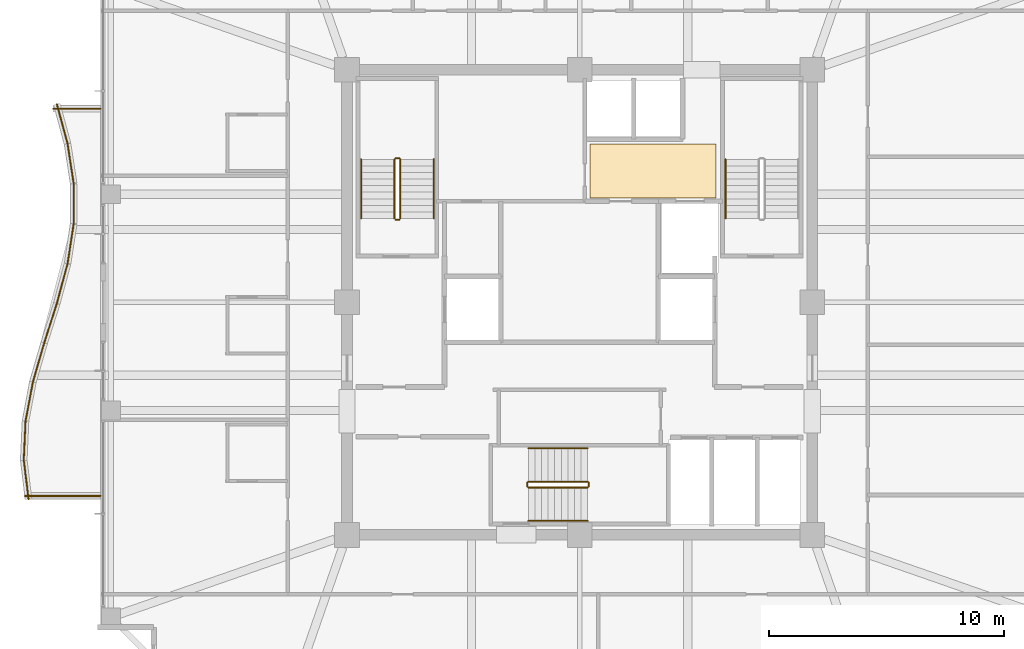
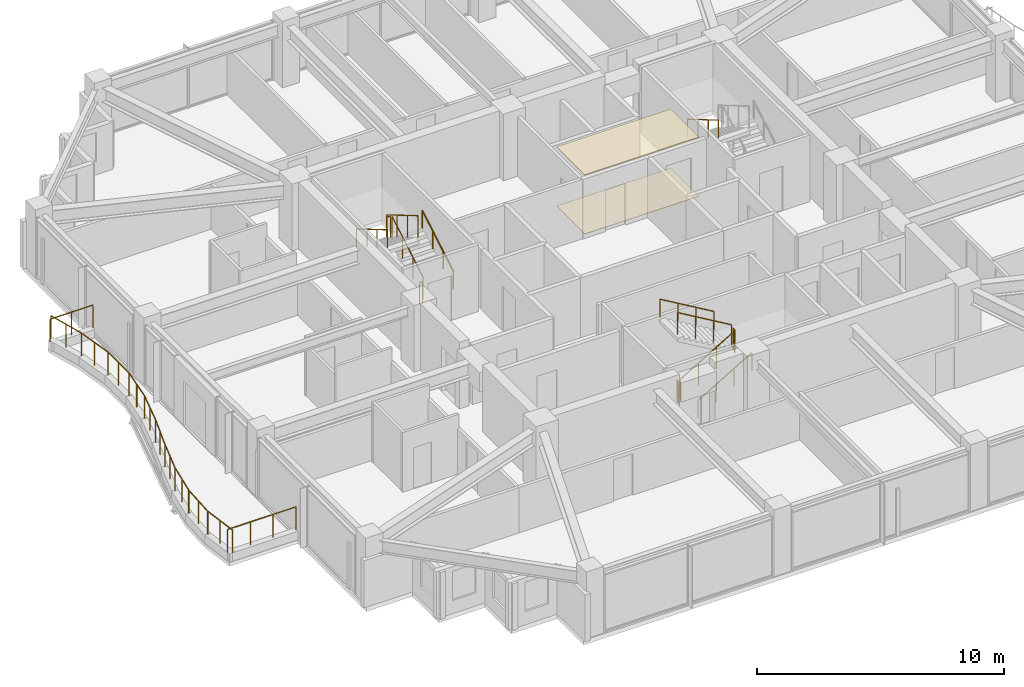
# One storey, part 33 of 34: 25 railings, 2 coverings.
"""IFC4 building model written with IfcOpenShell, lengths in metres."""

import ifcopenshell
import ifcopenshell.guid

model = None  # the IFC model being written
_history = None  # IfcOwnerHistory: only IFC2X3 demands one
_inside = {}  # id of a spatial element -> (the spatial element, [elements in it])
_under = {}  # id of a project, library or spatial element -> (it, [spatial elements below it])
_declared = {}  # id of a project -> (the project, [libraries it declares])
_typed = {}  # id of a type object -> (the type object, [elements of that type])
_made_of = {}  # id of a material, layer set ... -> (it, [elements and type objects made of it])


def new_model(schema):
    """Start an empty IFC model of exactly this schema.

    Asked for "IFC4X3", IfcOpenShell would pick the latest addendum, in which some entities
    have other attributes; the version numbers below select the first issue.
    IFC2X3 requires an IfcOwnerHistory on every rooted entity: one is made here for all.
    """
    global model, _history
    if schema == "IFC4X3":
        model = ifcopenshell.file(schema_version=(4, 3, 0, 0))
    else:
        model = ifcopenshell.file(schema=schema)
    _inside.clear()
    _under.clear()
    _declared.clear()
    _typed.clear()
    _made_of.clear()
    _history = None
    if model.schema == "IFC2X3":
        org = make("IfcOrganization", Name="unknown")
        user = make(
            "IfcPersonAndOrganization",
            ThePerson=make("IfcPerson", FamilyName="unknown"),
            TheOrganization=org,
        )
        app = make(
            "IfcApplication",
            ApplicationDeveloper=org,
            Version="unknown",
            ApplicationFullName="unknown",
            ApplicationIdentifier="unknown",
        )
        _history = make(
            "IfcOwnerHistory",
            OwningUser=user,
            OwningApplication=app,
            ChangeAction="ADDED",
            CreationDate=0,
        )
    return model


def make(cls, **values):
    """One entity of the class cls with the attributes given. An attribute that is None is left unset."""
    return model.create_entity(
        cls, **{name: value for name, value in values.items() if value is not None}
    )


def rooted(cls, **values):
    """An entity with a GlobalId (a new one), such as an element, a storey or a relation."""
    return make(cls, GlobalId=ifcopenshell.guid.new(), OwnerHistory=_history, **values)


def si_unit(unit_type, name, prefix=None):
    """IfcSIUnit, for example si_unit("LENGTHUNIT", "METRE", prefix="MILLI")."""
    return make("IfcSIUnit", UnitType=unit_type, Prefix=prefix, Name=name)


def assignment(units):
    """IfcUnitAssignment: the units of a project."""
    return None if units is None else make("IfcUnitAssignment", Units=units)


def point(xyz):
    """IfcCartesianPoint."""
    return None if xyz is None else make("IfcCartesianPoint", Coordinates=xyz)


def direction(xyz):
    """IfcDirection."""
    return None if xyz is None else make("IfcDirection", DirectionRatios=xyz)


def frame(location, z_axis=None, x_axis=None):
    """IfcAxis2Placement3D, a coordinate frame: its origin and axes. An axis left out is left unset."""
    return make(
        "IfcAxis2Placement3D",
        Location=point(location),
        Axis=direction(z_axis),
        RefDirection=direction(x_axis),
    )


def frame_2d(location, x_axis=None):
    """IfcAxis2Placement2D, a coordinate frame in the plane: its origin and x axis."""
    return make(
        "IfcAxis2Placement2D", Location=point(location), RefDirection=direction(x_axis)
    )


def origin():
    """The frame at (0, 0, 0) with its axes left unset."""
    return frame((0.0, 0.0, 0.0))


def origin_2d():
    """The frame at (0, 0) in the plane with its x axis left unset."""
    return frame_2d((0.0, 0.0))


def place(relative_to, where):
    """IfcLocalPlacement: puts the frame where relative to a parent placement (None: the world)."""
    return make(
        "IfcLocalPlacement", PlacementRelTo=relative_to, RelativePlacement=where
    )


def context(
    kind, dimensions, precision=None, world=None, true_north=None, identifier=None
):
    """IfcGeometricRepresentationContext, for example the 3D "Model" context."""
    return make(
        "IfcGeometricRepresentationContext",
        ContextIdentifier=identifier,
        ContextType=kind,
        CoordinateSpaceDimension=dimensions,
        Precision=precision,
        WorldCoordinateSystem=world,
        TrueNorth=true_north,
    )


def subcontext(parent, identifier, kind, view, scale=None):
    """IfcGeometricRepresentationSubContext, for example "Body" below "Model"."""
    return make(
        "IfcGeometricRepresentationSubContext",
        ContextIdentifier=identifier,
        ContextType=kind,
        ParentContext=parent,
        TargetScale=scale,
        TargetView=view,
    )


def project(units=None, contexts=None):
    """IfcProject with its units and contexts."""
    return rooted(
        "IfcProject",
        Name="project",
        RepresentationContexts=contexts,
        UnitsInContext=assignment(units),
    )


def spatial(cls, under=None, at=None, **own):
    """A site, building, storey or space (cls), placed at a placement, below another one or the project."""
    s = rooted(cls, ObjectPlacement=at, **own)
    if under is not None:
        _under.setdefault(under.id(), (under, []))[1].append(s)
    return s


def polyline(points):
    """IfcPolyline through the points."""
    return make("IfcPolyline", Points=[point(p) for p in points])


def profile(cls, at=None, kind="AREA", **sizes):
    """A parametric profile (cls). Its sizes go by their IFC names, for example OverallWidth=200.0."""
    return make(cls, ProfileType=kind, Position=at, **sizes)


def circle(**sizes):
    """IfcCircleProfileDef."""
    return profile("IfcCircleProfileDef", **sizes)


def outline(outer, holes=None, kind="AREA"):
    """IfcArbitraryClosedProfileDef: a profile drawn as a closed curve; with holes, ...WithVoids."""
    if holes is None:
        return make("IfcArbitraryClosedProfileDef", ProfileType=kind, OuterCurve=outer)
    return make(
        "IfcArbitraryProfileDefWithVoids",
        ProfileType=kind,
        OuterCurve=outer,
        InnerCurves=holes,
    )


def extrude(swept, where, along, depth):
    """IfcExtrudedAreaSolid: the profile swept, set in the frame where, extruded along a direction by depth."""
    return make(
        "IfcExtrudedAreaSolid",
        SweptArea=swept,
        Position=where,
        ExtrudedDirection=direction(along),
        Depth=depth,
    )


def shape(context_of_items, identifier, shape_type, items):
    """IfcShapeRepresentation: the items that make up one representation, for example the "Body"."""
    return make(
        "IfcShapeRepresentation",
        ContextOfItems=context_of_items,
        RepresentationIdentifier=identifier,
        RepresentationType=shape_type,
        Items=items,
    )


def material(Name=None, Category=None):
    """IfcMaterial."""
    return make("IfcMaterial", Name=Name, Category=Category)


def layer(
    of_material, thickness, ventilated=None, Name=None, Category=None, Priority=None
):
    """IfcMaterialLayer: one layer of a wall or slab, of a material (None: an air gap)."""
    return make(
        "IfcMaterialLayer",
        Material=of_material,
        LayerThickness=thickness,
        IsVentilated=ventilated,
        Name=Name,
        Category=Category,
        Priority=Priority,
    )


def layer_set(layers, Name=None):
    """IfcMaterialLayerSet."""
    return make("IfcMaterialLayerSet", MaterialLayers=layers, LayerSetName=Name)


def made_of(thing, what):
    """Note that an element or type object is made of a material, layer set ...; save() writes the relation."""
    if what is not None:
        _made_of.setdefault(what.id(), (what, []))[1].append(thing)
    return thing


def type_object(cls, material=None, **own):
    """A type object (cls), such as IfcWallType, which elements share."""
    return made_of(rooted(cls, **own), material)


def element(
    cls,
    number,
    at=None,
    inside=None,
    cuts=None,
    type_object=None,
    material=None,
    context=None,
    identifier="Body",
    shape_type=None,
    held_by="IfcProductDefinitionShape",
    body=None,
    shapes=None,
    **own,
):
    """One element of the class cls, such as IfcWall. Its Tag is "e" and its number.

    at: its placement. inside: the storey or other place that contains it. cuts: it is an
    opening in that element (IfcRelVoidsElement). A single representation is given by context,
    identifier, shape_type and body (its items); several are given by shapes. held_by: the class
    of the entity that holds the representations. save() writes the other relations.
    """
    e = rooted(cls, Tag="e%d" % number, ObjectPlacement=at, **own)
    if body is not None:
        shapes = [shape(context, identifier, shape_type, body)]
    if shapes is not None:
        e.Representation = make(held_by, Representations=shapes)
    if inside is not None:
        _inside.setdefault(inside.id(), (inside, []))[1].append(e)
    if cuts is not None:
        rooted(
            "IfcRelVoidsElement", RelatingBuildingElement=cuts, RelatedOpeningElement=e
        )
    if type_object is not None:
        _typed.setdefault(type_object.id(), (type_object, []))[1].append(e)
    return made_of(e, material)


def aggregate(whole, parts):
    """IfcRelAggregates: a whole, such as a stair, and the parts it consists of."""
    return rooted("IfcRelAggregates", RelatingObject=whole, RelatedObjects=parts)


def save(model, path):
    """Write the relations noted so far, then the file.

    IfcRelAggregates (storeys below a building ...), IfcRelContainedInSpatialStructure (elements
    in a storey), IfcRelDefinesByType, IfcRelAssociatesMaterial and IfcRelDeclares: one each for
    every whole, place, type object, material and project.
    """
    for whole, parts in _under.values():
        aggregate(whole, parts)
    for where, things in _inside.values():
        rooted(
            "IfcRelContainedInSpatialStructure",
            RelatedElements=things,
            RelatingStructure=where,
        )
    for kind, things in _typed.values():
        rooted("IfcRelDefinesByType", RelatedObjects=things, RelatingType=kind)
    for what, things in _made_of.values():
        rooted("IfcRelAssociatesMaterial", RelatedObjects=things, RelatingMaterial=what)
    for by, libraries in _declared.values():
        rooted("IfcRelDeclares", RelatingContext=by, RelatedDefinitions=libraries)
    model.write(path)


model = new_model("IFC4")

# Units and contexts
model_context = context("Model", 3, precision=1e-05, world=origin(), true_north=direction((0.0, 1.0)))
body_context = subcontext(model_context, "Body", "Model", "MODEL_VIEW")
ifc_project = project(units=[si_unit("LENGTHUNIT", "METRE"), si_unit("AREAUNIT", "SQUARE_METRE"), si_unit("VOLUMEUNIT", "CUBIC_METRE"), si_unit("PLANEANGLEUNIT", "RADIAN"), si_unit("MASSUNIT", "GRAM", prefix="KILO")], contexts=[model_context])

# Site, building, storey
site_placement = place(None, origin())
site = spatial("IfcSite", under=ifc_project, at=site_placement, CompositionType="ELEMENT")
building_placement = place(site_placement, origin())
building = spatial("IfcBuilding", under=site, at=building_placement, Name="Kolvaren Belvedere", CompositionType="ELEMENT")
storey_placement = place(building_placement, frame((0.0, 0.0, 229.5)))
storey = spatial("IfcBuildingStorey", under=building, at=storey_placement, Name="L67", CompositionType="ELEMENT", Elevation=229.5)

# Coverings
ifc_material_1 = material(Name="Acoustic perforated gypsum board", Category="gypsum")
ifc_layer_1 = layer(ifc_material_1, 0.02490234375)
ifc_layer_set_1 = layer_set([ifc_layer_1], Name="Acoustic perforated gypsum board")
covering_type_1 = type_object("IfcCoveringType", Name="COV-CEIL-GYP", PredefinedType="CEILING", material=ifc_layer_set_1)
covering_1_placement = place(storey_placement, frame((0.0, 0.0, 2.925048828125)))
element("IfcCovering", 1, at=covering_1_placement, inside=storey, type_object=covering_type_1, Name="L67 Lift Lobby Acoustic Baffle Ceiling", PredefinedType="CEILING", context=body_context, shape_type="SweptSolid", body=[
    extrude(outline(polyline([(0.449951171875, 4.449951171875), (5.800048828125, 4.449951171875), (5.800048828125, 6.75), (0.449951171875, 6.75), (0.449951171875, 4.449951171875)])), origin(), (0.0, 0.0, 1.0), 0.02490234375),
])
ifc_material_2 = material(Name="Engineered Pacific white oak", Category="timber")
ifc_layer_2 = layer(ifc_material_2, 0.02001953125)
ifc_layer_set_2 = layer_set([ifc_layer_2], Name="Engineered Pacific white oak")
covering_type_2 = type_object("IfcCoveringType", Name="COV-FLR-OAK", PredefinedType="FLOORING", material=ifc_layer_set_2)
covering_2_placement = place(storey_placement, origin())
element("IfcCovering", 2, at=covering_2_placement, inside=storey, type_object=covering_type_2, Name="L67 Lift Lobby Finish Flooring", PredefinedType="FLOORING", context=body_context, shape_type="SweptSolid", body=[
    extrude(outline(polyline([(0.449951171875, 4.449951171875), (5.800048828125, 4.449951171875), (5.800048828125, 6.75), (0.449951171875, 6.75), (0.449951171875, 4.449951171875)])), origin(), (0.0, 0.0, 1.0), 0.02001953125),
])

# Railings
ifc_material_3 = material(Name="Anodised pale-metal aluminium & laminated glass guard", Category="aluminium")
railing_type_1 = type_object("IfcRailingType", Name="RL-GUARD-1150", PredefinedType="GUARDRAIL", material=ifc_material_3)
railing_1_placement = place(storey_placement, frame((-22.251708984375, 8.441650390625, 0.3798828125)))
element("IfcRailing", 3, at=railing_1_placement, inside=storey, type_object=railing_type_1, Name="L67 Exterior Deck Safety Guard BAL-W-1", PredefinedType="GUARDRAIL", context=body_context, shape_type="SweptSolid", body=[
    extrude(circle(Radius=0.02392578125, at=origin_2d()), frame((0.0, 0.0, 1.1259765625), z_axis=(0.260682852326, -0.965424492388, 0.0), x_axis=(0.965424492388, 0.260682852326, 0.0)), (0.0, 0.0, 1.0), 1.739990234375),
    extrude(circle(Radius=0.02099609375, at=origin_2d()), origin(), (0.0, 0.0, 1.0), 1.101806640625),
    extrude(circle(Radius=0.02099609375, at=origin_2d()), frame((0.226806640625, -0.83984375, 0.0)), (0.0, 0.0, 1.0), 1.101806640625),
    extrude(circle(Radius=0.02099609375, at=origin_2d()), frame((0.45361328125, -1.679931640625, 0.0)), (0.0, 0.0, 1.0), 1.101806640625),
])
railing_2_placement = place(storey_placement, frame((-21.794677734375, 6.744384765625, 0.3798828125)))
element("IfcRailing", 4, at=railing_2_placement, inside=storey, type_object=railing_type_1, Name="L67 Exterior Deck Safety Guard BAL-W-2", PredefinedType="GUARDRAIL", context=body_context, shape_type="SweptSolid", body=[
    extrude(circle(Radius=0.02392578125, at=origin_2d()), frame((0.0, 0.0, 1.1259765625), z_axis=(0.152251460091, -0.988341789514, 0.0), x_axis=(0.988341789514, 0.152251460091, 0.0)), (0.0, 0.0, 1.0), 1.69970703125),
    extrude(circle(Radius=0.02099609375, at=origin_2d()), origin(), (0.0, 0.0, 1.0), 1.101806640625),
    extrude(circle(Radius=0.02099609375, at=origin_2d()), frame((0.12939453125, -0.83984375, 0.0)), (0.0, 0.0, 1.0), 1.101806640625),
    extrude(circle(Radius=0.02099609375, at=origin_2d()), frame((0.2587890625, -1.679931640625, 0.0)), (0.0, 0.0, 1.0), 1.101806640625),
])
railing_3_placement = place(storey_placement, frame((-21.533935546875, 5.0400390625, 0.3798828125)))
element("IfcRailing", 5, at=railing_3_placement, inside=storey, type_object=railing_type_1, Name="L67 Exterior Deck Safety Guard BAL-W-3", PredefinedType="GUARDRAIL", context=body_context, shape_type="SweptSolid", body=[
    extrude(circle(Radius=0.02392578125, at=origin_2d()), frame((0.0, 0.0, 1.1259765625), z_axis=(0.0, -1.0, 0.0), x_axis=(1.0, 0.0, 0.0)), (0.0, 0.0, 1.0), 1.679931640625),
    extrude(circle(Radius=0.02099609375, at=origin_2d()), origin(), (0.0, 0.0, 1.0), 1.101806640625),
    extrude(circle(Radius=0.02099609375, at=origin_2d()), frame((0.0, -0.83984375, 0.0)), (0.0, 0.0, 1.0), 1.101806640625),
    extrude(circle(Radius=0.02099609375, at=origin_2d()), frame((0.0, -1.679931640625, 0.0)), (0.0, 0.0, 1.0), 1.101806640625),
])
railing_4_placement = place(storey_placement, frame((-21.535888671875, 3.335693359375, 0.3798828125)))
element("IfcRailing", 6, at=railing_4_placement, inside=storey, type_object=railing_type_1, Name="L67 Exterior Deck Safety Guard BAL-W-4", PredefinedType="GUARDRAIL", context=body_context, shape_type="SweptSolid", body=[
    extrude(circle(Radius=0.02392578125, at=origin_2d()), frame((0.0, 0.0, 1.1259765625), z_axis=(-0.152229849666, -0.988345118302, 0.0), x_axis=(0.988345118302, -0.152229849666, 0.0)), (0.0, 0.0, 1.0), 1.699951171875),
    extrude(circle(Radius=0.02099609375, at=origin_2d()), origin(), (0.0, 0.0, 1.0), 1.101806640625),
    extrude(circle(Radius=0.02099609375, at=origin_2d()), frame((-0.12939453125, -0.840087890625, 0.0)), (0.0, 0.0, 1.0), 1.101806640625),
    extrude(circle(Radius=0.02099609375, at=origin_2d()), frame((-0.2587890625, -1.68017578125, 0.0)), (0.0, 0.0, 1.0), 1.101806640625),
])
railing_5_placement = place(storey_placement, frame((-21.798095703125, 1.63818359375, 0.3798828125)))
element("IfcRailing", 7, at=railing_5_placement, inside=storey, type_object=railing_type_1, Name="L67 Exterior Deck Safety Guard BAL-W-5", PredefinedType="GUARDRAIL", context=body_context, shape_type="SweptSolid", body=[
    extrude(circle(Radius=0.02392578125, at=origin_2d()), frame((0.0, 0.0, 1.1259765625), z_axis=(-0.260682852326, -0.965424492388, 0.0), x_axis=(0.965424492388, -0.260682852326, 0.0)), (0.0, 0.0, 1.0), 1.739990234375),
    extrude(circle(Radius=0.02099609375, at=origin_2d()), origin(), (0.0, 0.0, 1.0), 1.101806640625),
    extrude(circle(Radius=0.02099609375, at=origin_2d()), frame((-0.226806640625, -0.83984375, 0.0)), (0.0, 0.0, 1.0), 1.101806640625),
    extrude(circle(Radius=0.02099609375, at=origin_2d()), frame((-0.45361328125, -1.679931640625, 0.0)), (0.0, 0.0, 1.0), 1.101806640625),
])
railing_6_placement = place(storey_placement, frame((-22.25390625, -0.048583984375, 0.3798828125)))
element("IfcRailing", 8, at=railing_6_placement, inside=storey, type_object=railing_type_1, Name="L67 Exterior Deck Safety Guard BAL-W-6", PredefinedType="GUARDRAIL", context=body_context, shape_type="SweptSolid", body=[
    extrude(circle(Radius=0.02392578125, at=origin_2d()), frame((0.0, 0.0, 1.1259765625), z_axis=(-0.304032153573, -0.952661770826, 0.0), x_axis=(0.952661770826, -0.304032153573, 0.0)), (0.0, 0.0, 1.0), 1.763427734375),
    extrude(circle(Radius=0.02099609375, at=origin_2d()), origin(), (0.0, 0.0, 1.0), 1.101806640625),
    extrude(circle(Radius=0.02099609375, at=origin_2d()), frame((-0.26806640625, -0.83984375, 0.0)), (0.0, 0.0, 1.0), 1.101806640625),
    extrude(circle(Radius=0.02099609375, at=origin_2d()), frame((-0.5361328125, -1.679931640625, 0.0)), (0.0, 0.0, 1.0), 1.101806640625),
])
railing_7_placement = place(storey_placement, frame((-22.788818359375, -1.724609375, 0.3798828125)))
element("IfcRailing", 9, at=railing_7_placement, inside=storey, type_object=railing_type_1, Name="L67 Exterior Deck Safety Guard BAL-W-7", PredefinedType="GUARDRAIL", context=body_context, shape_type="SweptSolid", body=[
    extrude(circle(Radius=0.02392578125, at=origin_2d()), frame((0.0, 0.0, 1.1259765625), z_axis=(-0.277817391164, -0.960633903819, 0.0), x_axis=(0.960633903819, -0.277817391164, 0.0)), (0.0, 0.0, 1.0), 1.748779296875),
    extrude(circle(Radius=0.02099609375, at=origin_2d()), origin(), (0.0, 0.0, 1.0), 1.101806640625),
    extrude(circle(Radius=0.02099609375, at=origin_2d()), frame((-0.242919921875, -0.83984375, 0.0)), (0.0, 0.0, 1.0), 1.101806640625),
    extrude(circle(Radius=0.02099609375, at=origin_2d()), frame((-0.48583984375, -1.679931640625, 0.0)), (0.0, 0.0, 1.0), 1.101806640625),
])
railing_8_placement = place(storey_placement, frame((-23.271240234375, -3.3896484375, 0.3798828125)))
element("IfcRailing", 10, at=railing_8_placement, inside=storey, type_object=railing_type_1, Name="L67 Exterior Deck Safety Guard BAL-W-8", PredefinedType="GUARDRAIL", context=body_context, shape_type="SweptSolid", body=[
    extrude(circle(Radius=0.02392578125, at=origin_2d()), frame((0.0, 0.0, 1.1259765625), z_axis=(-0.18467658162, -0.982799348901, 0.0), x_axis=(0.982799348901, -0.18467658162, 0.0)), (0.0, 0.0, 1.0), 1.709228515625),
    extrude(circle(Radius=0.02099609375, at=origin_2d()), origin(), (0.0, 0.0, 1.0), 1.101806640625),
    extrude(circle(Radius=0.02099609375, at=origin_2d()), frame((-0.15771484375, -0.83984375, 0.0)), (0.0, 0.0, 1.0), 1.101806640625),
    extrude(circle(Radius=0.02099609375, at=origin_2d()), frame((-0.315673828125, -1.679931640625, 0.0)), (0.0, 0.0, 1.0), 1.101806640625),
])
railing_9_placement = place(storey_placement, frame((-23.58447265625, -5.047119140625, 0.3798828125)))
element("IfcRailing", 11, at=railing_9_placement, inside=storey, type_object=railing_type_1, Name="L67 Exterior Deck Safety Guard BAL-W-9", PredefinedType="GUARDRAIL", context=body_context, shape_type="SweptSolid", body=[
    extrude(circle(Radius=0.02392578125, at=origin_2d()), frame((0.0, 0.0, 1.1259765625), z_axis=(-0.044999415011, -0.998987013253, 0.0), x_axis=(0.998987013253, -0.044999415011, 0.0)), (0.0, 0.0, 1.0), 1.681884765625),
    extrude(circle(Radius=0.02099609375, at=origin_2d()), origin(), (0.0, 0.0, 1.0), 1.101806640625),
    extrude(circle(Radius=0.02099609375, at=origin_2d()), frame((-0.037841796875, -0.840087890625, 0.0)), (0.0, 0.0, 1.0), 1.101806640625),
    extrude(circle(Radius=0.02099609375, at=origin_2d()), frame((-0.07568359375, -1.68017578125, 0.0)), (0.0, 0.0, 1.0), 1.101806640625),
])
railing_10_placement = place(storey_placement, frame((-23.6611328125, -6.700439453125, 0.3798828125)))
element("IfcRailing", 12, at=railing_10_placement, inside=storey, type_object=railing_type_1, Name="L67 Exterior Deck Safety Guard BAL-W-10", PredefinedType="GUARDRAIL", context=body_context, shape_type="SweptSolid", body=[
    extrude(circle(Radius=0.02392578125, at=origin_2d()), frame((0.0, 0.0, 1.1259765625), z_axis=(0.121868867697, -0.992546210051, 0.0), x_axis=(0.992546210051, 0.121868867697, 0.0)), (0.0, 0.0, 1.0), 1.69287109375),
    extrude(circle(Radius=0.02099609375, at=origin_2d()), origin(), (0.0, 0.0, 1.0), 1.101806640625),
    extrude(circle(Radius=0.02099609375, at=origin_2d()), frame((0.10302734375, -0.840087890625, 0.0)), (0.0, 0.0, 1.0), 1.101806640625),
    extrude(circle(Radius=0.02099609375, at=origin_2d()), frame((0.206298828125, -1.68017578125, 0.0)), (0.0, 0.0, 1.0), 1.101806640625),
])
railing_11_placement = place(storey_placement, frame((-23.61376953125, -8.239990234375, 0.3798828125)))
element("IfcRailing", 13, at=railing_11_placement, inside=storey, type_object=railing_type_1, Name="L67 Exterior Deck Safety Guard BAL-W-11", PredefinedType="GUARDRAIL", context=body_context, shape_type="SweptSolid", body=[
    extrude(circle(Radius=0.02392578125, at=origin_2d()), frame((0.0, 0.0, 1.1259765625), z_axis=(1.0, 0.0, 0.0), x_axis=(0.0, 1.0, 0.0)), (0.0, 0.0, 1.0), 3.2138671875),
    extrude(circle(Radius=0.02099609375, at=origin_2d()), origin(), (0.0, 0.0, 1.0), 1.101806640625),
    extrude(circle(Radius=0.02099609375, at=origin_2d()), frame((1.0712890625, 0.0, 0.0)), (0.0, 0.0, 1.0), 1.101806640625),
    extrude(circle(Radius=0.02099609375, at=origin_2d()), frame((2.142578125, 0.0, 0.0)), (0.0, 0.0, 1.0), 1.101806640625),
    extrude(circle(Radius=0.02099609375, at=origin_2d()), frame((3.2138671875, 0.0, 0.0)), (0.0, 0.0, 1.0), 1.101806640625),
])
railing_12_placement = place(storey_placement, frame((-20.39990234375, 8.239990234375, 0.3798828125)))
element("IfcRailing", 14, at=railing_12_placement, inside=storey, type_object=railing_type_1, Name="L67 Exterior Deck Safety Guard BAL-W-22", PredefinedType="GUARDRAIL", context=body_context, shape_type="SweptSolid", body=[
    extrude(circle(Radius=0.02392578125, at=origin_2d()), frame((0.0, 0.0, 1.1259765625), z_axis=(-1.0, 0.0, 0.0), x_axis=(0.0, -1.0, 0.0)), (0.0, 0.0, 1.0), 2.00634765625),
    extrude(circle(Radius=0.02099609375, at=origin_2d()), origin(), (0.0, 0.0, 1.0), 1.101806640625),
    extrude(circle(Radius=0.02099609375, at=origin_2d()), frame((-1.003173828125, 0.0, 0.0)), (0.0, 0.0, 1.0), 1.101806640625),
    extrude(circle(Radius=0.02099609375, at=origin_2d()), frame((-2.00634765625, 0.0, 0.0)), (0.0, 0.0, 1.0), 1.101806640625),
])
ifc_material_4 = material(Name="Brushed stainless-steel handrail", Category="steel")
railing_type_2 = type_object("IfcRailingType", Name="RL-HANDRAIL-920", PredefinedType="HANDRAIL", material=ifc_material_4)
railing_13_placement = place(storey_placement, frame((-6.2099609375, 3.570068359375, 0.1650390625)))
element("IfcRailing", 15, at=railing_13_placement, inside=storey, type_object=railing_type_2, Name="L67 ST-1 stair handrail 1", PredefinedType="HANDRAIL", context=body_context, shape_type="SweptSolid", body=[
    extrude(circle(Radius=0.02392578125, at=origin_2d()), frame((0.0, 0.0, 0.8759765625), z_axis=(0.0, 0.861560626758, 0.507654692109), x_axis=(-1.0, 0.0, 0.0)), (0.0, 0.0, 1.0), 2.925048828125),
    extrude(circle(Radius=0.02099609375, at=origin_2d()), origin(), (0.0, 0.0, 1.0), 0.851806640625),
    extrude(circle(Radius=0.02099609375, at=origin_2d()), frame((0.0, 0.840087890625, 0.494873046875)), (0.0, 0.0, 1.0), 0.851806640625),
    extrude(circle(Radius=0.02099609375, at=origin_2d()), frame((0.0, 1.679931640625, 0.989990234375)), (0.0, 0.0, 1.0), 0.851806640625),
    extrude(circle(Radius=0.02099609375, at=origin_2d()), frame((0.0, 2.52001953125, 1.48486328125)), (0.0, 0.0, 1.0), 0.851806640625),
])
for number, where, name in (
    (16, (-9.300048828125, 6.090087890625, 1.81494140625), "L67 ST-1 stair handrail 2"),
    (17, (6.2099609375, 6.090087890625, 1.81494140625), "L67 ST-2 stair handrail 2"),
):
    element("IfcRailing", number, at=place(storey_placement, frame(where)), inside=storey, type_object=railing_type_2, Name=name, PredefinedType="HANDRAIL", context=body_context, shape_type="SweptSolid", body=[
        extrude(circle(Radius=0.02392578125, at=origin_2d()), frame((0.0, 0.0, 0.8759765625), z_axis=(0.0, -0.86152411907, 0.507716645641), x_axis=(1.0, 0.0, 0.0)), (0.0, 0.0, 1.0), 2.925048828125),
        extrude(circle(Radius=0.02099609375, at=origin_2d()), origin(), (0.0, 0.0, 1.0), 0.851806640625),
        extrude(circle(Radius=0.02099609375, at=origin_2d()), frame((0.0, -0.840087890625, 0.4951171875)), (0.0, 0.0, 1.0), 0.851806640625),
        extrude(circle(Radius=0.02099609375, at=origin_2d()), frame((0.0, -1.679931640625, 0.989990234375)), (0.0, 0.0, 1.0), 0.851806640625),
        extrude(circle(Radius=0.02099609375, at=origin_2d()), frame((0.0, -2.52001953125, 1.485107421875)), (0.0, 0.0, 1.0), 0.851806640625),
    ])
railing_14_placement = place(storey_placement, frame((-2.179931640625, -9.300048828125, 0.1650390625)))
element("IfcRailing", 18, at=railing_14_placement, inside=storey, type_object=railing_type_2, Name="L67 ST-3 stair handrail 1", PredefinedType="HANDRAIL", context=body_context, shape_type="SweptSolid", body=[
    extrude(circle(Radius=0.02392578125, at=origin_2d()), frame((0.0, 0.0, 0.8759765625), z_axis=(0.861560626758, 0.0, 0.507654692109), x_axis=(0.0, 1.0, 0.0)), (0.0, 0.0, 1.0), 2.925048828125),
    extrude(circle(Radius=0.02099609375, at=origin_2d()), origin(), (0.0, 0.0, 1.0), 0.851806640625),
    extrude(circle(Radius=0.02099609375, at=origin_2d()), frame((0.840087890625, 0.0, 0.494873046875)), (0.0, 0.0, 1.0), 0.851806640625),
    extrude(circle(Radius=0.02099609375, at=origin_2d()), frame((1.679931640625, 0.0, 0.989990234375)), (0.0, 0.0, 1.0), 0.851806640625),
    extrude(circle(Radius=0.02099609375, at=origin_2d()), frame((2.52001953125, 0.0, 1.48486328125)), (0.0, 0.0, 1.0), 0.851806640625),
])
railing_15_placement = place(storey_placement, frame((0.340087890625, -6.2099609375, 1.81494140625)))
element("IfcRailing", 19, at=railing_15_placement, inside=storey, type_object=railing_type_2, Name="L67 ST-3 stair handrail 2", PredefinedType="HANDRAIL", context=body_context, shape_type="SweptSolid", body=[
    extrude(circle(Radius=0.02392578125, at=origin_2d()), frame((0.0, 0.0, 0.8759765625), z_axis=(-0.86152411907, 0.0, 0.507716645641), x_axis=(0.0, -1.0, 0.0)), (0.0, 0.0, 1.0), 2.925048828125),
    extrude(circle(Radius=0.02099609375, at=origin_2d()), origin(), (0.0, 0.0, 1.0), 0.851806640625),
    extrude(circle(Radius=0.02099609375, at=origin_2d()), frame((-0.840087890625, 0.0, 0.4951171875)), (0.0, 0.0, 1.0), 0.851806640625),
    extrude(circle(Radius=0.02099609375, at=origin_2d()), frame((-1.679931640625, 0.0, 0.989990234375)), (0.0, 0.0, 1.0), 0.851806640625),
    extrude(circle(Radius=0.02099609375, at=origin_2d()), frame((-2.52001953125, 0.0, 1.485107421875)), (0.0, 0.0, 1.0), 0.851806640625),
])
ifc_material_5 = material(Name="Painted tubular steel stair guard", Category="steel")
railing_type_3 = type_object("IfcRailingType", Name="RL-STGUARD-1100", PredefinedType="GUARDRAIL", material=ifc_material_5)
railing_16_placement = place(storey_placement, frame((-7.6298828125, 3.570068359375, 0.1650390625)))
element("IfcRailing", 20, at=railing_16_placement, inside=storey, type_object=railing_type_3, Name="L67 ST-1 stair guard 1", PredefinedType="GUARDRAIL", context=body_context, shape_type="SweptSolid", body=[
    extrude(circle(Radius=0.02392578125, at=origin_2d()), frame((0.0, 0.0, 1.076171875), z_axis=(0.0, 0.861560626758, 0.507654692109), x_axis=(-1.0, 0.0, 0.0)), (0.0, 0.0, 1.0), 2.925048828125),
    extrude(circle(Radius=0.02099609375, at=origin_2d()), origin(), (0.0, 0.0, 1.0), 1.052001953125),
    extrude(circle(Radius=0.02099609375, at=origin_2d()), frame((0.0, 0.840087890625, 0.494873046875)), (0.0, 0.0, 1.0), 1.052001953125),
    extrude(circle(Radius=0.02099609375, at=origin_2d()), frame((0.0, 1.679931640625, 0.989990234375)), (0.0, 0.0, 1.0), 1.052001953125),
    extrude(circle(Radius=0.02099609375, at=origin_2d()), frame((0.0, 2.52001953125, 1.48486328125)), (0.0, 0.0, 1.0), 1.052001953125),
])
railing_17_placement = place(storey_placement, frame((-7.679931640625, 6.139892578125, 1.64990234375)))
element("IfcRailing", 21, at=railing_17_placement, inside=storey, type_object=railing_type_3, Name="L67 ST-1 stair guard 2", PredefinedType="GUARDRAIL", context=body_context, shape_type="SweptSolid", body=[
    extrude(circle(Radius=0.02392578125, at=origin_2d()), frame((0.0, 0.0, 1.076171875), z_axis=(-1.0, 0.0, 0.0), x_axis=(0.0, -1.0, 0.0)), (0.0, 0.0, 1.0), 0.150146484375),
    extrude(circle(Radius=0.02099609375, at=origin_2d()), origin(), (0.0, 0.0, 1.0), 1.052001953125),
    extrude(circle(Radius=0.02099609375, at=origin_2d()), frame((-0.150146484375, 0.0, 0.0)), (0.0, 0.0, 1.0), 1.052001953125),
])
railing_18_placement = place(storey_placement, frame((-7.8798828125, 6.090087890625, 1.81494140625)))
element("IfcRailing", 22, at=railing_18_placement, inside=storey, type_object=railing_type_3, Name="L67 ST-1 stair guard 3", PredefinedType="GUARDRAIL", context=body_context, shape_type="SweptSolid", body=[
    extrude(circle(Radius=0.02392578125, at=origin_2d()), frame((0.0, 0.0, 1.076171875), z_axis=(0.0, -0.86152411907, 0.507716645641), x_axis=(1.0, 0.0, 0.0)), (0.0, 0.0, 1.0), 2.925048828125),
    extrude(circle(Radius=0.02099609375, at=origin_2d()), origin(), (0.0, 0.0, 1.0), 1.052001953125),
    extrude(circle(Radius=0.02099609375, at=origin_2d()), frame((0.0, -0.840087890625, 0.4951171875)), (0.0, 0.0, 1.0), 1.052001953125),
    extrude(circle(Radius=0.02099609375, at=origin_2d()), frame((0.0, -1.679931640625, 0.989990234375)), (0.0, 0.0, 1.0), 1.052001953125),
    extrude(circle(Radius=0.02099609375, at=origin_2d()), frame((0.0, -2.52001953125, 1.485107421875)), (0.0, 0.0, 1.0), 1.052001953125),
])
railing_19_placement = place(storey_placement, frame((-7.679931640625, 3.52001953125, 0.0)))
element("IfcRailing", 23, at=railing_19_placement, inside=storey, type_object=railing_type_3, Name="L67 ST-1 stair guard 4", PredefinedType="GUARDRAIL", context=body_context, shape_type="SweptSolid", body=[
    extrude(circle(Radius=0.02392578125, at=origin_2d()), frame((0.0, 0.0, 1.076171875), z_axis=(-1.0, 0.0, 0.0), x_axis=(0.0, -1.0, 0.0)), (0.0, 0.0, 1.0), 0.150146484375),
    extrude(circle(Radius=0.02099609375, at=origin_2d()), origin(), (0.0, 0.0, 1.0), 1.052001953125),
    extrude(circle(Radius=0.02099609375, at=origin_2d()), frame((-0.150146484375, 0.0, 0.0)), (0.0, 0.0, 1.0), 1.052001953125),
])
railing_20_placement = place(storey_placement, frame((-2.179931640625, -7.8798828125, 0.1650390625)))
element("IfcRailing", 24, at=railing_20_placement, inside=storey, type_object=railing_type_3, Name="L67 ST-3 stair guard 1", PredefinedType="GUARDRAIL", context=body_context, shape_type="SweptSolid", body=[
    extrude(circle(Radius=0.02392578125, at=origin_2d()), frame((0.0, 0.0, 1.076171875), z_axis=(0.861560626758, 0.0, 0.507654692109), x_axis=(0.0, 1.0, 0.0)), (0.0, 0.0, 1.0), 2.925048828125),
    extrude(circle(Radius=0.02099609375, at=origin_2d()), origin(), (0.0, 0.0, 1.0), 1.052001953125),
    extrude(circle(Radius=0.02099609375, at=origin_2d()), frame((0.840087890625, 0.0, 0.494873046875)), (0.0, 0.0, 1.0), 1.052001953125),
    extrude(circle(Radius=0.02099609375, at=origin_2d()), frame((1.679931640625, 0.0, 0.989990234375)), (0.0, 0.0, 1.0), 1.052001953125),
    extrude(circle(Radius=0.02099609375, at=origin_2d()), frame((2.52001953125, 0.0, 1.48486328125)), (0.0, 0.0, 1.0), 1.052001953125),
])
railing_21_placement = place(storey_placement, frame((0.389892578125, -7.830078125, 1.64990234375)))
element("IfcRailing", 25, at=railing_21_placement, inside=storey, type_object=railing_type_3, Name="L67 ST-3 stair guard 2", PredefinedType="GUARDRAIL", context=body_context, shape_type="SweptSolid", body=[
    extrude(circle(Radius=0.02392578125, at=origin_2d()), frame((0.0, 0.0, 1.076171875), z_axis=(0.0, 1.0, 0.0), x_axis=(-1.0, 0.0, 0.0)), (0.0, 0.0, 1.0), 0.150146484375),
    extrude(circle(Radius=0.02099609375, at=origin_2d()), origin(), (0.0, 0.0, 1.0), 1.052001953125),
    extrude(circle(Radius=0.02099609375, at=origin_2d()), frame((0.0, 0.150146484375, 0.0)), (0.0, 0.0, 1.0), 1.052001953125),
])
railing_22_placement = place(storey_placement, frame((0.340087890625, -7.6298828125, 1.81494140625)))
element("IfcRailing", 26, at=railing_22_placement, inside=storey, type_object=railing_type_3, Name="L67 ST-3 stair guard 3", PredefinedType="GUARDRAIL", context=body_context, shape_type="SweptSolid", body=[
    extrude(circle(Radius=0.02392578125, at=origin_2d()), frame((0.0, 0.0, 1.076171875), z_axis=(-0.86152411907, 0.0, 0.507716645641), x_axis=(0.0, -1.0, 0.0)), (0.0, 0.0, 1.0), 2.925048828125),
    extrude(circle(Radius=0.02099609375, at=origin_2d()), origin(), (0.0, 0.0, 1.0), 1.052001953125),
    extrude(circle(Radius=0.02099609375, at=origin_2d()), frame((-0.840087890625, 0.0, 0.4951171875)), (0.0, 0.0, 1.0), 1.052001953125),
    extrude(circle(Radius=0.02099609375, at=origin_2d()), frame((-1.679931640625, 0.0, 0.989990234375)), (0.0, 0.0, 1.0), 1.052001953125),
    extrude(circle(Radius=0.02099609375, at=origin_2d()), frame((-2.52001953125, 0.0, 1.485107421875)), (0.0, 0.0, 1.0), 1.052001953125),
])
railing_23_placement = place(storey_placement, frame((-2.22998046875, -7.830078125, 0.0)))
element("IfcRailing", 27, at=railing_23_placement, inside=storey, type_object=railing_type_3, Name="L67 ST-3 stair guard 4", PredefinedType="GUARDRAIL", context=body_context, shape_type="SweptSolid", body=[
    extrude(circle(Radius=0.02392578125, at=origin_2d()), frame((0.0, 0.0, 1.076171875), z_axis=(0.0, 1.0, 0.0), x_axis=(-1.0, 0.0, 0.0)), (0.0, 0.0, 1.0), 0.150146484375),
    extrude(circle(Radius=0.02099609375, at=origin_2d()), origin(), (0.0, 0.0, 1.0), 1.052001953125),
    extrude(circle(Radius=0.02099609375, at=origin_2d()), frame((0.0, 0.150146484375, 0.0)), (0.0, 0.0, 1.0), 1.052001953125),
])

save(model, "model.ifc")
